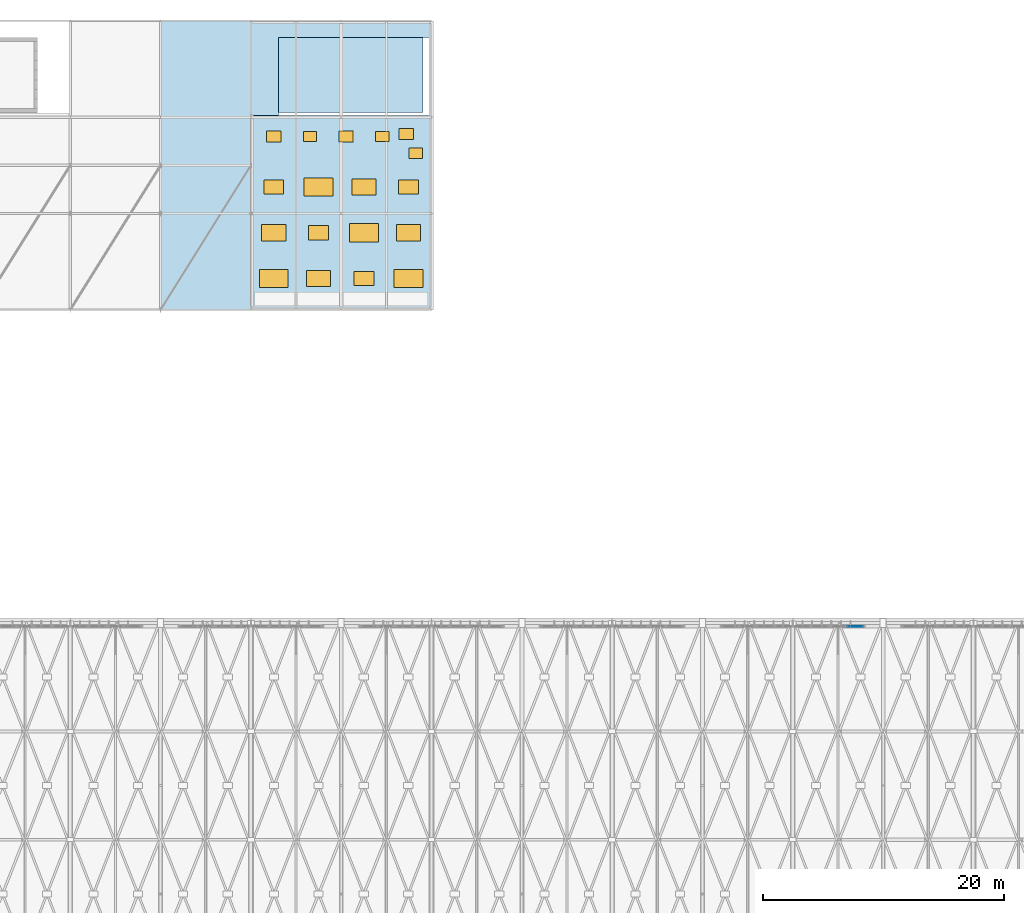
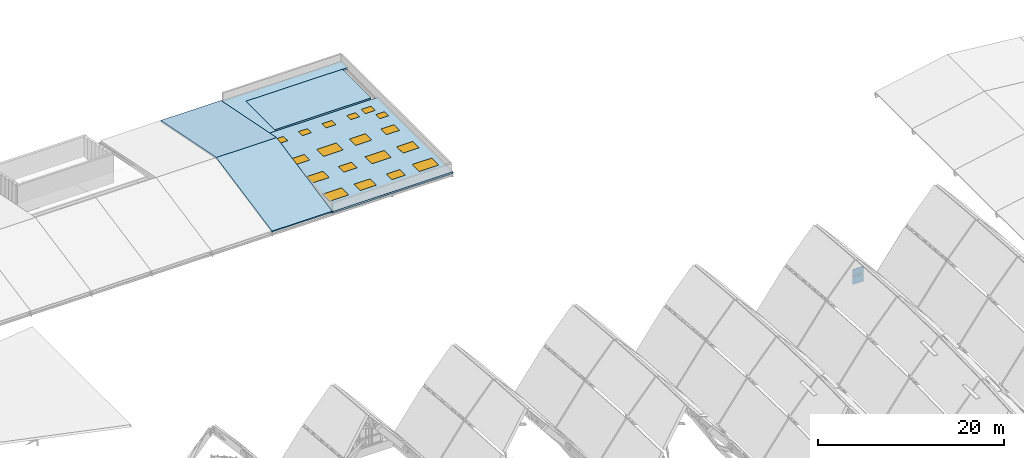
"""IFC4 building model written with IfcOpenShell, lengths in metres."""

from ifc_helpers import new_model, si_unit, direction, frame, origin, origin_2d, place, context, subcontext, project, spatial, polyline, rectangle, outline, extrude, material, layer, layer_set, type_object, element, fill, aggregate, save


model = new_model("IFC4")

# Units and contexts
model_context = context("Model", 3, precision=1e-05, world=origin(), true_north=direction((0.0, 1.0)))
body_context = subcontext(model_context, "Body", "Model", "MODEL_VIEW")
ifc_project = project(units=[si_unit("LENGTHUNIT", "METRE"), si_unit("AREAUNIT", "SQUARE_METRE"), si_unit("VOLUMEUNIT", "CUBIC_METRE"), si_unit("PLANEANGLEUNIT", "RADIAN"), si_unit("MASSUNIT", "GRAM", prefix="KILO")], contexts=[model_context])

# Site, building, storey
site_placement = place(None, origin())
site = spatial("IfcSite", under=ifc_project, at=site_placement, CompositionType="ELEMENT")
building_placement = place(site_placement, origin())
building = spatial("IfcBuilding", under=site, at=building_placement, Name="Vourika Railside Aquatics Centre", CompositionType="ELEMENT")
storey_1_placement = place(building_placement, frame((0.0, 0.0, 21.89990234375)))
storey_1 = spatial("IfcBuildingStorey", under=building, at=storey_1_placement, Name="Roof", CompositionType="ELEMENT", Elevation=21.89990234375)

# Curtain wall, plates
ifc_material_1 = material(Name="Anodized thermally broken aluminium", Category="aluminium")
curtain_wall_type = type_object("IfcCurtainWallType", Name="CW-VLTN1", PredefinedType="NOTDEFINED", material=ifc_material_1)
curtain_wall_placement = place(storey_1_placement, origin())
curtain_wall = element("IfcCurtainWall", 1, at=curtain_wall_placement, inside=storey_1, type_object=curtain_wall_type, Name="North Courtyard Pointed-Arch Curtain Wall Bay 6", PredefinedType="NOTDEFINED")
ifc_material_2 = material(Name="Low-E solar-control laminated double glazing", Category="glass")
ifc_layer_1 = layer(ifc_material_2, 0.048095703125, Name="CWP-VLTN1")
ifc_layer_set_1 = layer_set([ifc_layer_1], Name="Low-E solar-control laminated double glazing")
plate_type = type_object("IfcPlateType", Name="CWP-VLTN1", PredefinedType="CURTAIN_PANEL", material=ifc_layer_set_1)
plate_1_placement = place(storey_1_placement, frame((123.68505859375, 65.719970703125, -11.014892578125), z_axis=(0.0, 0.0, 1.0), x_axis=(-1.0, 0.0, 0.0)))
plate_1 = element("IfcPlate", 2, at=plate_1_placement, type_object=plate_type, Name="CW01 glazed panel 1.1", PredefinedType="CURTAIN_PANEL", context=body_context, shape_type="SweptSolid", body=[
    extrude(rectangle(XDim=1.360107421875, YDim=0.048095703125, at=origin_2d()), origin(), (0.0, 0.0, 1.0), 1.0224609375),
])
plate_2_placement = place(storey_1_placement, frame((123.68505859375, 65.719970703125, -9.9072265625), z_axis=(0.0, 0.0, 1.0), x_axis=(-1.0, 0.0, 0.0)))
plate_2 = element("IfcPlate", 3, at=plate_2_placement, type_object=plate_type, Name="CW01 glazed panel 1.2", PredefinedType="CURTAIN_PANEL", context=body_context, shape_type="SweptSolid", body=[
    extrude(rectangle(XDim=1.360107421875, YDim=0.048095703125, at=origin_2d()), origin(), (0.0, 0.0, 1.0), 0.884521484375),
])
aggregate(curtain_wall, [plate_1, plate_2])

# Slab, openings, doors
ifc_material_3 = material(Name="Concrete C35/45", Category="concrete")
ifc_layer_2 = layer(ifc_material_3, 0.22998046875, Name="SLB-ROOF-EAV230")
ifc_layer_set_2 = layer_set([ifc_layer_2], Name="Concrete C35/45")
slab_type_1 = type_object("IfcSlabType", Name="SLB-ROOF-EAV230", PredefinedType="ROOF", material=ifc_layer_set_2)
slab_1_placement = place(storey_1_placement, frame((0.0, 0.0, -0.239990234375)))
slab_1 = element("IfcSlab", 4, at=slab_1_placement, inside=storey_1, type_object=slab_type_1, Name="Academy Skylight and Maintenance Roof Deck", PredefinedType="ROOF", context=body_context, shape_type="SweptSolid", body=[
    extrude(outline(polyline([(73.5, 92.0), (73.5, 108.14990234375), (88.5, 108.14990234375), (88.5, 92.0), (73.5, 92.0)]), holes=[polyline([(76.60009765625, 95.35009765625), (74.199951171875, 95.35009765625), (74.199951171875, 93.85009765625), (76.60009765625, 93.85009765625), (76.60009765625, 95.35009765625)]), polyline([(80.10009765625, 95.27490234375), (78.10009765625, 95.27490234375), (78.10009765625, 93.925048828125), (80.10009765625, 93.925048828125), (80.10009765625, 95.27490234375)]), polyline([(76.39990234375, 99.074951171875), (74.39990234375, 99.074951171875), (74.39990234375, 97.72509765625), (76.39990234375, 97.72509765625), (76.39990234375, 99.074951171875)]), polyline([(79.925048828125, 99.0), (78.27490234375, 99.0), (78.27490234375, 97.800048828125), (79.925048828125, 97.800048828125), (79.925048828125, 99.0)]), polyline([(76.22509765625, 102.800048828125), (74.574951171875, 102.800048828125), (74.574951171875, 101.60009765625), (76.22509765625, 101.60009765625), (76.22509765625, 102.800048828125)]), polyline([(80.300048828125, 102.949951171875), (77.89990234375, 102.949951171875), (77.89990234375, 101.449951171875), (80.300048828125, 101.449951171875), (80.300048828125, 102.949951171875)]), polyline([(76.0, 106.85009765625), (74.800048828125, 106.85009765625), (74.800048828125, 105.949951171875), (76.0, 105.949951171875), (76.0, 106.85009765625)]), polyline([(78.89990234375, 105.97509765625), (78.89990234375, 106.824951171875), (77.89990234375, 106.824951171875), (77.89990234375, 105.97509765625), (78.89990234375, 105.97509765625)]), polyline([(82.0, 105.949951171875), (82.0, 106.85009765625), (80.800048828125, 106.85009765625), (80.800048828125, 105.949951171875), (82.0, 105.949951171875)]), polyline([(83.72509765625, 95.199951171875), (82.074951171875, 95.199951171875), (82.074951171875, 94.0), (83.72509765625, 94.0), (83.72509765625, 95.199951171875)]), polyline([(87.800048828125, 95.35009765625), (85.39990234375, 95.35009765625), (85.39990234375, 93.85009765625), (87.800048828125, 93.85009765625), (87.800048828125, 95.35009765625)]), polyline([(84.10009765625, 99.14990234375), (81.699951171875, 99.14990234375), (81.699951171875, 97.64990234375), (84.10009765625, 97.64990234375), (84.10009765625, 99.14990234375)]), polyline([(87.60009765625, 99.074951171875), (85.60009765625, 99.074951171875), (85.60009765625, 97.72509765625), (87.60009765625, 97.72509765625), (87.60009765625, 99.074951171875)]), polyline([(87.425048828125, 102.800048828125), (85.77490234375, 102.800048828125), (85.77490234375, 101.60009765625), (87.425048828125, 101.60009765625), (87.425048828125, 102.800048828125)]), polyline([(83.89990234375, 102.875), (81.89990234375, 102.875), (81.89990234375, 101.52490234375), (83.89990234375, 101.52490234375), (83.89990234375, 102.875)]), polyline([(87.699951171875, 105.425048828125), (86.699951171875, 105.425048828125), (86.699951171875, 104.574951171875), (87.699951171875, 104.574951171875), (87.699951171875, 105.425048828125)]), polyline([(84.89990234375, 105.97509765625), (84.89990234375, 106.824951171875), (83.89990234375, 106.824951171875), (83.89990234375, 105.97509765625), (84.89990234375, 105.97509765625)]), polyline([(87.0, 106.14990234375), (87.0, 107.050048828125), (85.800048828125, 107.050048828125), (85.800048828125, 106.14990234375), (87.0, 106.14990234375)])]), origin(), (0.0, 0.0, 1.0), 0.22998046875),
])
opening_1_placement = place(slab_1_placement, frame((75.39990234375, 94.60009765625, -0.010009765625)))
opening_1 = element("IfcOpeningElement", 5, at=opening_1_placement, cuts=slab_1, Name="Opening SK01", PredefinedType="OPENING", context=body_context, shape_type="SweptSolid", body=[
    extrude(rectangle(XDim=2.39990234375, YDim=1.5, at=origin_2d()), origin(), (0.0, 0.0, 1.0), 0.25),
])
opening_2_placement = place(slab_1_placement, frame((75.39990234375, 98.39990234375, -0.010009765625)))
opening_2 = element("IfcOpeningElement", 6, at=opening_2_placement, cuts=slab_1, Name="Opening SK02", PredefinedType="OPENING", context=body_context, shape_type="SweptSolid", body=[
    extrude(rectangle(XDim=2.0, YDim=1.35009765625, at=origin_2d()), origin(), (0.0, 0.0, 1.0), 0.25),
])
opening_3_placement = place(slab_1_placement, frame((75.39990234375, 102.199951171875, -0.010009765625)))
opening_3 = element("IfcOpeningElement", 7, at=opening_3_placement, cuts=slab_1, Name="Opening SK03", PredefinedType="OPENING", context=body_context, shape_type="SweptSolid", body=[
    extrude(rectangle(XDim=1.64990234375, YDim=1.199951171875, at=origin_2d()), origin(), (0.0, 0.0, 1.0), 0.25),
])
opening_4_placement = place(slab_1_placement, frame((79.10009765625, 94.60009765625, -0.010009765625)))
opening_4 = element("IfcOpeningElement", 8, at=opening_4_placement, cuts=slab_1, Name="Opening SK02", PredefinedType="OPENING", context=body_context, shape_type="SweptSolid", body=[
    extrude(rectangle(XDim=2.0, YDim=1.35009765625, at=origin_2d()), origin(), (0.0, 0.0, 1.0), 0.25),
])
opening_5_placement = place(slab_1_placement, frame((79.10009765625, 98.39990234375, -0.010009765625)))
opening_5 = element("IfcOpeningElement", 9, at=opening_5_placement, cuts=slab_1, Name="Opening SK03", PredefinedType="OPENING", context=body_context, shape_type="SweptSolid", body=[
    extrude(rectangle(XDim=1.64990234375, YDim=1.199951171875, at=origin_2d()), origin(), (0.0, 0.0, 1.0), 0.25),
])
opening_6_placement = place(slab_1_placement, frame((79.10009765625, 102.199951171875, -0.010009765625)))
opening_6 = element("IfcOpeningElement", 10, at=opening_6_placement, cuts=slab_1, Name="Opening SK01", PredefinedType="OPENING", context=body_context, shape_type="SweptSolid", body=[
    extrude(rectangle(XDim=2.39990234375, YDim=1.5, at=origin_2d()), origin(), (0.0, 0.0, 1.0), 0.25),
])
opening_7_placement = place(slab_1_placement, frame((82.89990234375, 94.60009765625, -0.010009765625)))
opening_7 = element("IfcOpeningElement", 11, at=opening_7_placement, cuts=slab_1, Name="Opening SK03", PredefinedType="OPENING", context=body_context, shape_type="SweptSolid", body=[
    extrude(rectangle(XDim=1.64990234375, YDim=1.199951171875, at=origin_2d()), origin(), (0.0, 0.0, 1.0), 0.25),
])
opening_8_placement = place(slab_1_placement, frame((82.89990234375, 98.39990234375, -0.010009765625)))
opening_8 = element("IfcOpeningElement", 12, at=opening_8_placement, cuts=slab_1, Name="Opening SK01", PredefinedType="OPENING", context=body_context, shape_type="SweptSolid", body=[
    extrude(rectangle(XDim=2.39990234375, YDim=1.5, at=origin_2d()), origin(), (0.0, 0.0, 1.0), 0.25),
])
opening_9_placement = place(slab_1_placement, frame((82.89990234375, 102.199951171875, -0.010009765625)))
opening_9 = element("IfcOpeningElement", 13, at=opening_9_placement, cuts=slab_1, Name="Opening SK02", PredefinedType="OPENING", context=body_context, shape_type="SweptSolid", body=[
    extrude(rectangle(XDim=2.0, YDim=1.35009765625, at=origin_2d()), origin(), (0.0, 0.0, 1.0), 0.25),
])
opening_10_placement = place(slab_1_placement, frame((86.60009765625, 94.60009765625, -0.010009765625)))
opening_10 = element("IfcOpeningElement", 14, at=opening_10_placement, cuts=slab_1, Name="Opening SK01", PredefinedType="OPENING", context=body_context, shape_type="SweptSolid", body=[
    extrude(rectangle(XDim=2.39990234375, YDim=1.5, at=origin_2d()), origin(), (0.0, 0.0, 1.0), 0.25),
])
opening_11_placement = place(slab_1_placement, frame((86.60009765625, 98.39990234375, -0.010009765625)))
opening_11 = element("IfcOpeningElement", 15, at=opening_11_placement, cuts=slab_1, Name="Opening SK02", PredefinedType="OPENING", context=body_context, shape_type="SweptSolid", body=[
    extrude(rectangle(XDim=2.0, YDim=1.35009765625, at=origin_2d()), origin(), (0.0, 0.0, 1.0), 0.25),
])
opening_12_placement = place(slab_1_placement, frame((86.60009765625, 102.199951171875, -0.010009765625)))
opening_12 = element("IfcOpeningElement", 16, at=opening_12_placement, cuts=slab_1, Name="Opening SK03", PredefinedType="OPENING", context=body_context, shape_type="SweptSolid", body=[
    extrude(rectangle(XDim=1.64990234375, YDim=1.199951171875, at=origin_2d()), origin(), (0.0, 0.0, 1.0), 0.25),
])
opening_13_placement = place(slab_1_placement, frame((75.39990234375, 106.39990234375, -0.010009765625)))
opening_13 = element("IfcOpeningElement", 17, at=opening_13_placement, cuts=slab_1, Name="Opening RH01", PredefinedType="OPENING", context=body_context, shape_type="SweptSolid", body=[
    extrude(rectangle(XDim=1.199951171875, YDim=0.89990234375, at=origin_2d()), origin(), (0.0, 0.0, 1.0), 0.25),
])
opening_14_placement = place(slab_1_placement, frame((78.39990234375, 106.39990234375, -0.010009765625)))
opening_14 = element("IfcOpeningElement", 18, at=opening_14_placement, cuts=slab_1, Name="Opening RH02", PredefinedType="OPENING", context=body_context, shape_type="SweptSolid", body=[
    extrude(rectangle(XDim=1.10009765625, YDim=0.85009765625, at=origin_2d()), origin(), (0.0, 0.0, 1.0), 0.25),
])
opening_15_placement = place(slab_1_placement, frame((81.39990234375, 106.39990234375, -0.010009765625)))
opening_15 = element("IfcOpeningElement", 19, at=opening_15_placement, cuts=slab_1, Name="Opening RH01", PredefinedType="OPENING", context=body_context, shape_type="SweptSolid", body=[
    extrude(rectangle(XDim=1.199951171875, YDim=0.89990234375, at=origin_2d()), origin(), (0.0, 0.0, 1.0), 0.25),
])
opening_16_placement = place(slab_1_placement, frame((84.39990234375, 106.39990234375, -0.010009765625)))
opening_16 = element("IfcOpeningElement", 20, at=opening_16_placement, cuts=slab_1, Name="Opening RH02", PredefinedType="OPENING", context=body_context, shape_type="SweptSolid", body=[
    extrude(rectangle(XDim=1.10009765625, YDim=0.85009765625, at=origin_2d()), origin(), (0.0, 0.0, 1.0), 0.25),
])
opening_17_placement = place(slab_1_placement, frame((86.39990234375, 106.60009765625, -0.010009765625)))
opening_17 = element("IfcOpeningElement", 21, at=opening_17_placement, cuts=slab_1, Name="Opening RH01", PredefinedType="OPENING", context=body_context, shape_type="SweptSolid", body=[
    extrude(rectangle(XDim=1.199951171875, YDim=0.89990234375, at=origin_2d()), origin(), (0.0, 0.0, 1.0), 0.25),
])
opening_18_placement = place(slab_1_placement, frame((87.199951171875, 105.0, -0.010009765625)))
opening_18 = element("IfcOpeningElement", 22, at=opening_18_placement, cuts=slab_1, Name="Opening RH02", PredefinedType="OPENING", context=body_context, shape_type="SweptSolid", body=[
    extrude(rectangle(XDim=1.10009765625, YDim=0.85009765625, at=origin_2d()), origin(), (0.0, 0.0, 1.0), 0.25),
])
ifc_material_4 = material(Name="Galvanized insulated steel", Category="steel")
door_type_1 = type_object("IfcDoorType", Name="DR-HATCH-100", OperationType="SINGLE_SWING_LEFT", PredefinedType="TRAPDOOR", material=ifc_material_4)
door_1_placement = place(slab_1_placement, frame((78.39990234375, 106.39990234375, 0.179931640625)))
door_1 = element("IfcDoor", 23, at=door_1_placement, inside=storey_1, type_object=door_type_1, Name="Maintenance Roof Access Hatch RH-02", OperationType="SINGLE_SWING_LEFT", OverallHeight=0.85009765625, OverallWidth=1.10009765625, PredefinedType="TRAPDOOR", context=body_context, shape_type="SweptSolid", body=[
    extrude(rectangle(XDim=1.10009765625, YDim=0.85009765625, at=origin_2d()), origin(), (0.0, 0.0, 1.0), 0.050048828125),
])
fill(opening_14, door_1)
door_2_placement = place(slab_1_placement, frame((84.39990234375, 106.39990234375, 0.179931640625)))
door_2 = element("IfcDoor", 24, at=door_2_placement, inside=storey_1, type_object=door_type_1, Name="Maintenance Roof Access Hatch RH-04", OperationType="SINGLE_SWING_LEFT", OverallHeight=0.85009765625, OverallWidth=1.10009765625, PredefinedType="TRAPDOOR", context=body_context, shape_type="SweptSolid", body=[
    extrude(rectangle(XDim=1.10009765625, YDim=0.85009765625, at=origin_2d()), origin(), (0.0, 0.0, 1.0), 0.050048828125),
])
fill(opening_16, door_2)
door_3_placement = place(slab_1_placement, frame((87.199951171875, 105.0, 0.179931640625)))
door_3 = element("IfcDoor", 25, at=door_3_placement, inside=storey_1, type_object=door_type_1, Name="Maintenance Roof Access Hatch RH-06", OperationType="SINGLE_SWING_LEFT", OverallHeight=0.85009765625, OverallWidth=1.10009765625, PredefinedType="TRAPDOOR", context=body_context, shape_type="SweptSolid", body=[
    extrude(rectangle(XDim=1.10009765625, YDim=0.85009765625, at=origin_2d()), origin(), (0.0, 0.0, 1.0), 0.050048828125),
])
fill(opening_18, door_3)
door_type_2 = type_object("IfcDoorType", Name="DR-HATCH-120", OperationType="SINGLE_SWING_LEFT", PredefinedType="TRAPDOOR", material=ifc_material_4)
door_4_placement = place(slab_1_placement, frame((75.39990234375, 106.39990234375, 0.179931640625)))
door_4 = element("IfcDoor", 26, at=door_4_placement, inside=storey_1, type_object=door_type_2, Name="Maintenance Roof Access Hatch RH-01", OperationType="SINGLE_SWING_LEFT", OverallHeight=0.89990234375, OverallWidth=1.199951171875, PredefinedType="TRAPDOOR", context=body_context, shape_type="SweptSolid", body=[
    extrude(rectangle(XDim=1.199951171875, YDim=0.89990234375, at=origin_2d()), origin(), (0.0, 0.0, 1.0), 0.050048828125),
])
fill(opening_13, door_4)
door_5_placement = place(slab_1_placement, frame((81.39990234375, 106.39990234375, 0.179931640625)))
door_5 = element("IfcDoor", 27, at=door_5_placement, inside=storey_1, type_object=door_type_2, Name="Maintenance Roof Access Hatch RH-03", OperationType="SINGLE_SWING_LEFT", OverallHeight=0.89990234375, OverallWidth=1.199951171875, PredefinedType="TRAPDOOR", context=body_context, shape_type="SweptSolid", body=[
    extrude(rectangle(XDim=1.199951171875, YDim=0.89990234375, at=origin_2d()), origin(), (0.0, 0.0, 1.0), 0.050048828125),
])
fill(opening_15, door_5)
door_6_placement = place(slab_1_placement, frame((86.39990234375, 106.60009765625, 0.179931640625)))
door_6 = element("IfcDoor", 28, at=door_6_placement, inside=storey_1, type_object=door_type_2, Name="Maintenance Roof Access Hatch RH-05", OperationType="SINGLE_SWING_LEFT", OverallHeight=0.89990234375, OverallWidth=1.199951171875, PredefinedType="TRAPDOOR", context=body_context, shape_type="SweptSolid", body=[
    extrude(rectangle(XDim=1.199951171875, YDim=0.89990234375, at=origin_2d()), origin(), (0.0, 0.0, 1.0), 0.050048828125),
])
fill(opening_17, door_6)

# Storey
storey_2_placement = place(building_placement, frame((0.0, 0.0, 17.699951171875)))
storey_2 = spatial("IfcBuildingStorey", under=building, at=storey_2_placement, Name="L04", CompositionType="ELEMENT", Elevation=17.699951171875)

# Window
ifc_material_5 = material(Name="Laminated solar-control glass", Category="glass")
window_type_1 = type_object("IfcWindowType", Name="WN-SKY-165x120", PartitioningType="SINGLE_PANEL", PredefinedType="SKYLIGHT", material=ifc_material_5)
window_1_placement = place(slab_1_placement, frame((75.39990234375, 102.199951171875, 0.179931640625)))
window_1 = element("IfcWindow", 29, at=window_1_placement, inside=storey_2, type_object=window_type_1, Name="Academy North-Light Roof Skylight SK-03", OverallHeight=1.199951171875, OverallWidth=1.64990234375, PartitioningType="SINGLE_PANEL", PredefinedType="SKYLIGHT", context=body_context, shape_type="SweptSolid", body=[
    extrude(rectangle(XDim=1.64990234375, YDim=1.199951171875, at=origin_2d()), origin(), (0.0, 0.0, 1.0), 0.050048828125),
])

fill(opening_3, window_1)

window_2_placement = place(slab_1_placement, frame((79.10009765625, 98.39990234375, 0.179931640625)))
window_2 = element("IfcWindow", 30, at=window_2_placement, inside=storey_2, type_object=window_type_1, Name="Academy North-Light Roof Skylight SK-05", OverallHeight=1.199951171875, OverallWidth=1.64990234375, PartitioningType="SINGLE_PANEL", PredefinedType="SKYLIGHT", context=body_context, shape_type="SweptSolid", body=[
    extrude(rectangle(XDim=1.64990234375, YDim=1.199951171875, at=origin_2d()), origin(), (0.0, 0.0, 1.0), 0.050048828125),
])

fill(opening_5, window_2)

window_3_placement = place(slab_1_placement, frame((82.89990234375, 94.60009765625, 0.179931640625)))
window_3 = element("IfcWindow", 31, at=window_3_placement, inside=storey_2, type_object=window_type_1, Name="Academy North-Light Roof Skylight SK-07", OverallHeight=1.199951171875, OverallWidth=1.64990234375, PartitioningType="SINGLE_PANEL", PredefinedType="SKYLIGHT", context=body_context, shape_type="SweptSolid", body=[
    extrude(rectangle(XDim=1.64990234375, YDim=1.199951171875, at=origin_2d()), origin(), (0.0, 0.0, 1.0), 0.050048828125),
])

fill(opening_7, window_3)

window_4_placement = place(slab_1_placement, frame((86.60009765625, 102.199951171875, 0.179931640625)))
window_4 = element("IfcWindow", 32, at=window_4_placement, inside=storey_2, type_object=window_type_1, Name="Academy North-Light Roof Skylight SK-12", OverallHeight=1.199951171875, OverallWidth=1.64990234375, PartitioningType="SINGLE_PANEL", PredefinedType="SKYLIGHT", context=body_context, shape_type="SweptSolid", body=[
    extrude(rectangle(XDim=1.64990234375, YDim=1.199951171875, at=origin_2d()), origin(), (0.0, 0.0, 1.0), 0.050048828125),
])

fill(opening_12, window_4)

window_type_2 = type_object("IfcWindowType", Name="WN-SKY-200x135", PartitioningType="SINGLE_PANEL", PredefinedType="SKYLIGHT", material=ifc_material_5)
window_5_placement = place(slab_1_placement, frame((75.39990234375, 98.39990234375, 0.179931640625)))
window_5 = element("IfcWindow", 33, at=window_5_placement, inside=storey_2, type_object=window_type_2, Name="Academy North-Light Roof Skylight SK-02", OverallHeight=1.35009765625, OverallWidth=2.0, PartitioningType="SINGLE_PANEL", PredefinedType="SKYLIGHT", context=body_context, shape_type="SweptSolid", body=[
    extrude(rectangle(XDim=2.0, YDim=1.35009765625, at=origin_2d()), origin(), (0.0, 0.0, 1.0), 0.050048828125),
])

fill(opening_2, window_5)

window_6_placement = place(slab_1_placement, frame((79.10009765625, 94.60009765625, 0.179931640625)))
window_6 = element("IfcWindow", 34, at=window_6_placement, inside=storey_2, type_object=window_type_2, Name="Academy North-Light Roof Skylight SK-04", OverallHeight=1.35009765625, OverallWidth=2.0, PartitioningType="SINGLE_PANEL", PredefinedType="SKYLIGHT", context=body_context, shape_type="SweptSolid", body=[
    extrude(rectangle(XDim=2.0, YDim=1.35009765625, at=origin_2d()), origin(), (0.0, 0.0, 1.0), 0.050048828125),
])

fill(opening_4, window_6)

window_7_placement = place(slab_1_placement, frame((82.89990234375, 102.199951171875, 0.179931640625)))
window_7 = element("IfcWindow", 35, at=window_7_placement, inside=storey_2, type_object=window_type_2, Name="Academy North-Light Roof Skylight SK-09", OverallHeight=1.35009765625, OverallWidth=2.0, PartitioningType="SINGLE_PANEL", PredefinedType="SKYLIGHT", context=body_context, shape_type="SweptSolid", body=[
    extrude(rectangle(XDim=2.0, YDim=1.35009765625, at=origin_2d()), origin(), (0.0, 0.0, 1.0), 0.050048828125),
])

fill(opening_9, window_7)

window_8_placement = place(slab_1_placement, frame((86.60009765625, 98.39990234375, 0.179931640625)))
window_8 = element("IfcWindow", 36, at=window_8_placement, inside=storey_2, type_object=window_type_2, Name="Academy North-Light Roof Skylight SK-11", OverallHeight=1.35009765625, OverallWidth=2.0, PartitioningType="SINGLE_PANEL", PredefinedType="SKYLIGHT", context=body_context, shape_type="SweptSolid", body=[
    extrude(rectangle(XDim=2.0, YDim=1.35009765625, at=origin_2d()), origin(), (0.0, 0.0, 1.0), 0.050048828125),
])

fill(opening_11, window_8)

window_type_3 = type_object("IfcWindowType", Name="WN-SKY-240x150", PartitioningType="DOUBLE_PANEL_HORIZONTAL", PredefinedType="SKYLIGHT", material=ifc_material_5)
window_9_placement = place(slab_1_placement, frame((75.39990234375, 94.60009765625, 0.179931640625)))
window_9 = element("IfcWindow", 37, at=window_9_placement, inside=storey_2, type_object=window_type_3, Name="Academy North-Light Roof Skylight SK-01", OverallHeight=1.5, OverallWidth=2.39990234375, PartitioningType="SINGLE_PANEL", PredefinedType="SKYLIGHT", context=body_context, shape_type="SweptSolid", body=[
    extrude(rectangle(XDim=2.39990234375, YDim=1.5, at=origin_2d()), origin(), (0.0, 0.0, 1.0), 0.050048828125),
])

fill(opening_1, window_9)

window_10_placement = place(slab_1_placement, frame((79.10009765625, 102.199951171875, 0.179931640625)))
window_10 = element("IfcWindow", 38, at=window_10_placement, inside=storey_2, type_object=window_type_3, Name="Academy North-Light Roof Skylight SK-06", OverallHeight=1.5, OverallWidth=2.39990234375, PartitioningType="SINGLE_PANEL", PredefinedType="SKYLIGHT", context=body_context, shape_type="SweptSolid", body=[
    extrude(rectangle(XDim=2.39990234375, YDim=1.5, at=origin_2d()), origin(), (0.0, 0.0, 1.0), 0.050048828125),
])

fill(opening_6, window_10)

window_11_placement = place(slab_1_placement, frame((82.89990234375, 98.39990234375, 0.179931640625)))
window_11 = element("IfcWindow", 39, at=window_11_placement, inside=storey_2, type_object=window_type_3, Name="Academy North-Light Roof Skylight SK-08", OverallHeight=1.5, OverallWidth=2.39990234375, PartitioningType="SINGLE_PANEL", PredefinedType="SKYLIGHT", context=body_context, shape_type="SweptSolid", body=[
    extrude(rectangle(XDim=2.39990234375, YDim=1.5, at=origin_2d()), origin(), (0.0, 0.0, 1.0), 0.050048828125),
])

fill(opening_8, window_11)

window_12_placement = place(slab_1_placement, frame((86.60009765625, 94.60009765625, 0.179931640625)))
window_12 = element("IfcWindow", 40, at=window_12_placement, inside=storey_2, type_object=window_type_3, Name="Academy North-Light Roof Skylight SK-10", OverallHeight=1.5, OverallWidth=2.39990234375, PartitioningType="SINGLE_PANEL", PredefinedType="SKYLIGHT", context=body_context, shape_type="SweptSolid", body=[
    extrude(rectangle(XDim=2.39990234375, YDim=1.5, at=origin_2d()), origin(), (0.0, 0.0, 1.0), 0.050048828125),
])

fill(opening_10, window_12)

# Slabs
slab_2_placement = place(storey_1_placement, frame((0.0, 0.0, -0.239990234375)))
element("IfcSlab", 41, at=slab_2_placement, inside=storey_1, type_object=slab_type_1, Name="Academy North Eave Roof Slab", PredefinedType="ROOF", context=body_context, shape_type="SweptSolid", body=[
    extrude(outline(polyline([(75.800048828125, 108.14990234375), (73.5, 108.14990234375), (73.5, 116.0), (75.800048828125, 116.0), (88.5, 116.0), (88.5, 114.60009765625), (75.800048828125, 114.60009765625), (75.800048828125, 108.14990234375)])), origin(), (0.0, 0.0, 1.0), 0.22998046875),
])
slab_3_placement = place(storey_1_placement, frame((0.0, 0.0, -0.22998046875)))
element("IfcSlab", 42, at=slab_3_placement, inside=storey_1, type_object=slab_type_1, Name="Protected Exit Stair Core ST03 Shaft Roof Slab", PredefinedType="ROOF", context=body_context, shape_type="SweptSolid", body=[
    extrude(outline(polyline([(75.800048828125, 108.39990234375), (87.800048828125, 108.39990234375), (87.800048828125, 114.60009765625), (75.800048828125, 114.60009765625), (75.800048828125, 108.39990234375)])), origin(), (0.0, 0.0, 1.0), 0.22998046875),
])

# Roof, slabs
ifc_material_6 = material(Name="Steel S355J2", Category="steel")
ifc_layer_3 = layer(ifc_material_6, 0.205078125, Name="ROOF-PITCH-SYS")
ifc_layer_set_3 = layer_set([ifc_layer_3], Name="Steel S355J2")
roof_type = type_object("IfcRoofType", Name="ROOF-PITCH-SYS", PredefinedType="GABLE_ROOF", material=ifc_layer_set_3)
roof_placement = place(storey_1_placement, origin())
roof = element("IfcRoof", 43, at=roof_placement, inside=storey_1, type_object=roof_type, Name="Fitness Wing Pitched Acoustic Roof Assembly", PredefinedType="GABLE_ROOF")
ifc_layer_4 = layer(ifc_material_3, 0.205078125, Name="SLB-ROOF-NLT205")
ifc_layer_set_4 = layer_set([ifc_layer_4], Name="Concrete C35/45")
slab_type_2 = type_object("IfcSlabType", Name="SLB-ROOF-NLT205", PredefinedType="ROOF", material=ifc_layer_set_4)
slab_4_placement = place(storey_1_placement, frame((66.0, 92.0, 0.050048828125), z_axis=(0.0, -0.196127644693, 0.98057837371), x_axis=(1.0, 0.0, 0.0)))
slab_4 = element("IfcSlab", 44, at=slab_4_placement, type_object=slab_type_2, Name="Fitness Wing Pitched Roof Panel S (66.0-73.5)", PredefinedType="ROOF", context=body_context, shape_type="SweptSolid", body=[
    extrude(outline(polyline([(0.0, 0.0), (7.5, 0.0), (7.5, 12.237675561415152), (0.0, 12.237675561415152), (0.0, 0.0)])), origin(), (0.0, 0.0, -1.0), 0.205078125),
])
slab_5_placement = place(storey_1_placement, frame((66.0, 104.0, 2.4501953125), z_axis=(0.0, 0.196127644693, 0.98057837371), x_axis=(1.0, 0.0, 0.0)))
slab_5 = element("IfcSlab", 45, at=slab_5_placement, type_object=slab_type_2, Name="Fitness Wing Pitched Roof Panel N (66.0-73.5)", PredefinedType="ROOF", context=body_context, shape_type="SweptSolid", body=[
    extrude(outline(polyline([(0.0, 0.0), (7.5, 0.0), (7.5, 12.237675561415152), (0.0, 12.237675561415152), (0.0, 0.0)])), origin(), (0.0, 0.0, -1.0), 0.205078125),
])
aggregate(roof, [slab_4, slab_5])

save(model, "model.ifc")
